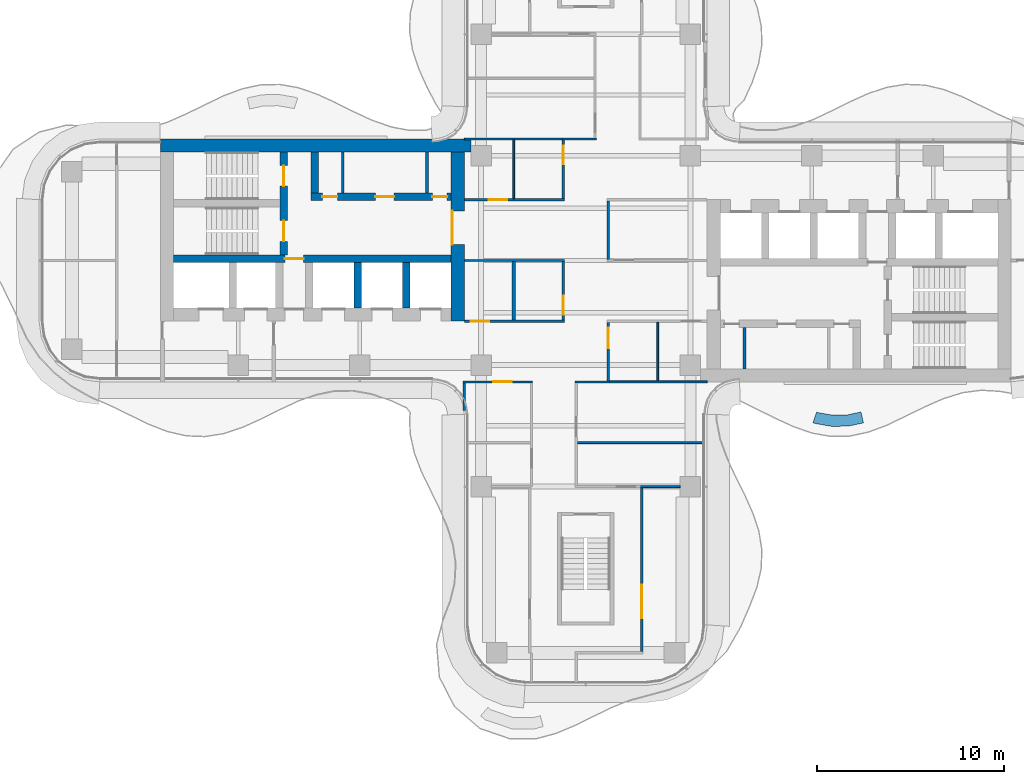
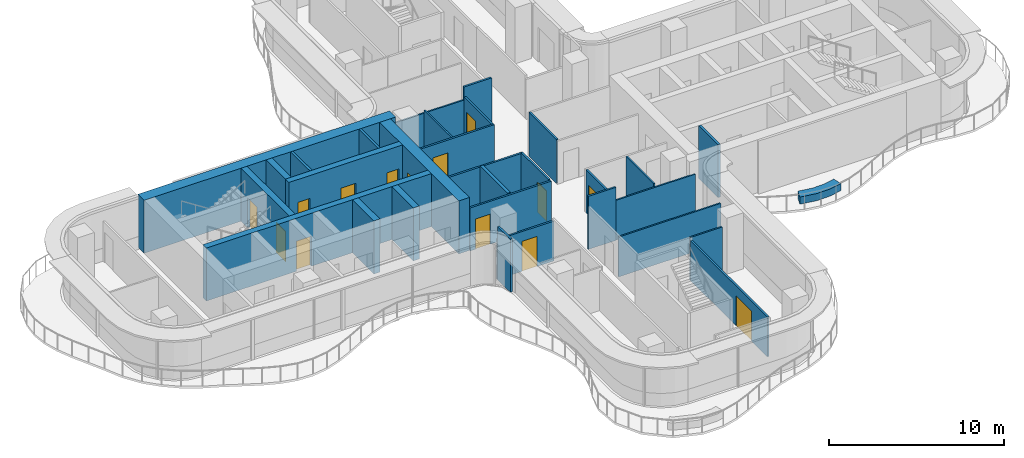
# One storey, part 12 of 16: 31 walls, 14 doors, 14 openings.
"""IFC4 building model written with IfcOpenShell, lengths in metres."""

from ifc_helpers import new_model, si_unit, direction, frame, frame_2d, origin, place, context, subcontext, project, spatial, polyline, rectangle, outline, extrude, source, transform, mapped, material, layer, layer_set, type_object, element, fill, save


model = new_model("IFC4")

# Units and contexts
model_context = context("Model", 3, precision=1e-05, world=origin(), true_north=direction((0.0, 1.0)))
body_context = subcontext(model_context, "Body", "Model", "MODEL_VIEW")
ifc_project = project(units=[si_unit("LENGTHUNIT", "METRE"), si_unit("AREAUNIT", "SQUARE_METRE"), si_unit("VOLUMEUNIT", "CUBIC_METRE"), si_unit("PLANEANGLEUNIT", "RADIAN"), si_unit("MASSUNIT", "GRAM", prefix="KILO")], contexts=[model_context])

# Site, building, storey
site_placement = place(None, origin())
site = spatial("IfcSite", under=ifc_project, at=site_placement, CompositionType="ELEMENT")
building_placement = place(site_placement, origin())
building = spatial("IfcBuilding", under=site, at=building_placement, Name="Trellis Farm Tower", CompositionType="ELEMENT")
storey_placement = place(building_placement, frame((0.0, 0.0, 255.800048828125)))
storey = spatial("IfcBuildingStorey", under=building, at=storey_placement, Name="L57", CompositionType="ELEMENT", Elevation=255.800048828125)

# Wall
ifc_material_1 = material(Name="Sandstone faced masonry planter", Category="masonry")
ifc_layer_1 = layer(ifc_material_1, 0.60009765625)
ifc_layer_set_1 = layer_set([ifc_layer_1], Name="PLANTER BED 600")
wall_type_1 = type_object("IfcWallType", Name="PLANTER BED 600", PredefinedType="USERDEFINED", material=ifc_layer_set_1)
wall_1_placement = place(storey_placement, origin())
element("IfcWall", 1, at=wall_1_placement, inside=storey, type_object=wall_type_1, Name="PLANTER bed", ObjectType="PLANTER", PredefinedType="USERDEFINED", context=body_context, shape_type="SweptSolid", body=[
    extrude(outline(polyline([(13.179443359375, -8.882080078125), (12.2822265625, -8.725830078125), (12.15966796875, -8.683837890625), (12.35400390625, -8.1162109375), (12.431884765625, -8.142822265625), (13.224853515625, -8.28076171875), (14.000244140625, -8.263916015625), (14.73291015625, -8.106689453125), (14.85888671875, -8.693359375), (14.0703125, -8.862548828125), (13.179443359375, -8.882080078125)])), origin(), (0.0, 0.0, 1.0), 0.5),
])

# Wall, opening, door
ifc_material_2 = material(Name="Concrete C60/75", Category="concrete")
ifc_layer_2 = layer(ifc_material_2, 0.699951171875)
ifc_layer_set_2 = layer_set([ifc_layer_2], Name="CORE OUTER WALL 700 CONCRETE C60/75")
wall_type_2 = type_object("IfcWallType", Name="CORE OUTER WALL 700 CONCRETE C60/75", PredefinedType="SHEAR", material=ifc_layer_set_2)
shared_shape_1 = source(origin(), body_context, "Body", "SweptSolid", [
    extrude(rectangle(XDim=9.050048828125, YDim=0.699951171875, at=frame_2d((4.52490234375, 0.0))), origin(), (0.0, 0.0, 1.0), 3.699951171875),
])
wall_2_placement = place(storey_placement, frame((-6.85009765625, 5.800048828125, 0.0), z_axis=(0.0, 0.0, 1.0), x_axis=(0.0, -1.0, 0.0)))
wall_2 = element("IfcWall", 2, at=wall_2_placement, inside=storey, type_object=wall_type_2, Name="Core wall", PredefinedType="SHEAR", context=body_context, shape_type="MappedRepresentation", body=[
    mapped(shared_shape_1, transform((0.0, 0.0, 0.0))),
])
shared_shape_2 = source(origin(), body_context, "Body", "SweptSolid", [
    extrude(rectangle(XDim=1.800048828125, YDim=2.10009765625, at=frame_2d((0.89990234375, 1.050048828125))), frame((0.0, 0.360107421875, 0.0), z_axis=(0.0, -1.0, 0.0), x_axis=(1.0, 0.0, 0.0)), (0.0, 0.0, 1.0), 0.72021484375),
])
opening_1_placement = place(wall_2_placement, frame((3.14990234375, 0.0, 0.0)))
opening_1 = element("IfcOpeningElement", 3, at=opening_1_placement, cuts=wall_2, Name="Opening DC87", PredefinedType="OPENING", context=body_context, shape_type="MappedRepresentation", body=[
    mapped(shared_shape_2, transform((0.0, 0.0, 0.0))),
])
ifc_material_3 = material(Name="Steel", Category="steel")
door_type_1 = type_object("IfcDoorType", Name="CORE FIRE DOOR DOUBLE 1800 X 2100", OperationType="DOUBLE_DOOR_SINGLE_SWING", PredefinedType="DOOR", material=ifc_material_3)
shared_shape_3 = source(origin(), body_context, "Body", "SweptSolid", [
    extrude(rectangle(XDim=1.800048828125, YDim=2.10009765625, at=frame_2d((0.89990234375, 1.050048828125))), frame((0.0, -0.27490234375, 0.0), z_axis=(0.0, -1.0, 0.0), x_axis=(1.0, 0.0, 0.0)), (0.0, 0.0, 1.0), 0.050048828125),
])
door_1_placement = place(opening_1_placement, origin())
door_1 = element("IfcDoor", 4, at=door_1_placement, inside=storey, type_object=door_type_1, Name="Core door", OperationType="DOUBLE_DOOR_SINGLE_SWING", OverallHeight=2.10009765625, OverallWidth=1.800048828125, PredefinedType="DOOR", context=body_context, shape_type="MappedRepresentation", body=[
    mapped(shared_shape_3, transform((0.0, 0.0, 0.0))),
])
fill(opening_1, door_1)

# Walls
ifc_layer_3 = layer(ifc_material_2, 0.39990234375)
ifc_layer_set_3 = layer_set([ifc_layer_3], Name="CORE INNER WALL 400 CONCRETE C60/75")
wall_type_3 = type_object("IfcWallType", Name="CORE INNER WALL 400 CONCRETE C60/75", PredefinedType="SHEAR", material=ifc_layer_set_3)
shared_shape_4 = source(origin(), body_context, "Body", "SweptSolid", [
    extrude(rectangle(XDim=2.449951171875, YDim=0.39990234375, at=frame_2d((1.22509765625, 0.0))), origin(), (0.0, 0.0, 1.0), 3.699951171875),
])
for number, where, z_axis, x_axis, name in (
    (5, (-9.60009765625, -0.10009765625, 0.0), (0.0, 0.0, 1.0), (0.0, -1.0, 0.0), "Core wall"),
    (6, (-12.199951171875, -0.10009765625, 0.0), (0.0, 0.0, 1.0), (0.0, -1.0, 0.0), "Core wall"),
):
    element("IfcWall", number, at=place(storey_placement, frame(where, z_axis=z_axis, x_axis=x_axis)), inside=storey, type_object=wall_type_3, Name=name, PredefinedType="SHEAR", context=body_context, shape_type="MappedRepresentation", body=[
        mapped(shared_shape_4, transform((0.0, 0.0, 0.0))),
    ])

# Wall, openings, doors
shared_shape_5 = source(origin(), body_context, "Body", "SweptSolid", [
    extrude(rectangle(XDim=7.5, YDim=0.39990234375, at=frame_2d((3.75, 0.0))), origin(), (0.0, 0.0, 1.0), 3.699951171875),
])
wall_3_placement = place(storey_placement, frame((-7.199951171875, 3.39990234375, 0.0), z_axis=(0.0, 0.0, 1.0), x_axis=(-1.0, 0.0, 0.0)))
wall_3 = element("IfcWall", 7, at=wall_3_placement, inside=storey, type_object=wall_type_3, Name="Core wall", PredefinedType="SHEAR", context=body_context, shape_type="MappedRepresentation", body=[
    mapped(shared_shape_5, transform((0.0, 0.0, 0.0))),
])
shared_shape_6 = source(origin(), body_context, "Body", "SweptSolid", [
    extrude(rectangle(XDim=0.800048828125, YDim=2.10009765625, at=frame_2d((0.39990234375, 1.050048828125))), frame((0.0, 0.2099609375, 0.0), z_axis=(0.0, -1.0, 0.0), x_axis=(1.0, 0.0, 0.0)), (0.0, 0.0, 1.0), 0.419921875),
])
opening_2_placement = place(wall_3_placement, frame((0.21240234375, 0.0, 0.0)))
opening_2 = element("IfcOpeningElement", 8, at=opening_2_placement, cuts=wall_3, Name="Opening DC137", PredefinedType="OPENING", context=body_context, shape_type="MappedRepresentation", body=[
    mapped(shared_shape_6, transform((0.0, 0.0, 0.0))),
])
shared_shape_7 = source(origin(), body_context, "Body", "SweptSolid", [
    extrude(rectangle(XDim=1.0, YDim=2.10009765625, at=frame_2d((0.5, 1.050048828125))), frame((0.0, 0.2099609375, 0.0), z_axis=(0.0, -1.0, 0.0), x_axis=(1.0, 0.0, 0.0)), (0.0, 0.0, 1.0), 0.419921875),
])
opening_3_placement = place(wall_3_placement, frame((3.050048828125, 0.0, 0.0)))
opening_3 = element("IfcOpeningElement", 9, at=opening_3_placement, cuts=wall_3, Name="Opening DC148", PredefinedType="OPENING", context=body_context, shape_type="MappedRepresentation", body=[
    mapped(shared_shape_7, transform((0.0, 0.0, 0.0))),
])
opening_4_placement = place(wall_3_placement, frame((6.08740234375, 0.0, 0.0)))
opening_4 = element("IfcOpeningElement", 10, at=opening_4_placement, cuts=wall_3, Name="Opening DC149", PredefinedType="OPENING", context=body_context, shape_type="MappedRepresentation", body=[
    mapped(shared_shape_6, transform((0.0, 0.0, 0.0))),
])
door_type_2 = type_object("IfcDoorType", Name="CORE FIRE DOOR 1000 X 2100", OperationType="NOTDEFINED", PredefinedType="DOOR", material=ifc_material_3)
shared_shape_8 = source(origin(), body_context, "Body", "SweptSolid", [
    extrude(rectangle(XDim=1.0, YDim=2.10009765625, at=frame_2d((0.5, 1.050048828125))), frame((0.0, 0.02490234375, 0.0), z_axis=(0.0, -1.0, 0.0), x_axis=(1.0, 0.0, 0.0)), (0.0, 0.0, 1.0), 0.050048828125),
])
door_2_placement = place(opening_3_placement, origin())
door_2 = element("IfcDoor", 11, at=door_2_placement, inside=storey, type_object=door_type_2, Name="Core door", OperationType="SINGLE_SWING_RIGHT", OverallHeight=2.10009765625, OverallWidth=1.0, PredefinedType="DOOR", context=body_context, shape_type="MappedRepresentation", body=[
    mapped(shared_shape_8, transform((0.0, 0.0, 0.0))),
])
fill(opening_3, door_2)
door_type_3 = type_object("IfcDoorType", Name="CORE FIRE DOOR 800 X 2100", OperationType="NOTDEFINED", PredefinedType="DOOR", material=ifc_material_3)
shared_shape_9 = source(origin(), body_context, "Body", "SweptSolid", [
    extrude(rectangle(XDim=0.800048828125, YDim=2.10009765625, at=frame_2d((0.39990234375, 1.050048828125))), frame((0.0, 0.02490234375, 0.0), z_axis=(0.0, -1.0, 0.0), x_axis=(1.0, 0.0, 0.0)), (0.0, 0.0, 1.0), 0.050048828125),
])
door_3_placement = place(opening_2_placement, origin())
door_3 = element("IfcDoor", 12, at=door_3_placement, inside=storey, type_object=door_type_3, Name="Core door", OperationType="SINGLE_SWING_LEFT", OverallHeight=2.10009765625, OverallWidth=0.800048828125, PredefinedType="DOOR", context=body_context, shape_type="MappedRepresentation", body=[
    mapped(shared_shape_9, transform((0.0, 0.0, 0.0))),
])
fill(opening_2, door_3)
door_4_placement = place(opening_4_placement, origin())
door_4 = element("IfcDoor", 13, at=door_4_placement, inside=storey, type_object=door_type_3, Name="Core door", OperationType="SINGLE_SWING_LEFT", OverallHeight=2.10009765625, OverallWidth=0.800048828125, PredefinedType="DOOR", context=body_context, shape_type="MappedRepresentation", body=[
    mapped(shared_shape_9, transform((0.0, 0.0, 0.0))),
])
fill(opening_4, door_4)

# Wall, opening, door
shared_shape_10 = source(origin(), body_context, "Body", "SweptSolid", [
    extrude(rectangle(XDim=14.85009765625, YDim=0.39990234375, at=frame_2d((7.425048828125, 0.0))), origin(), (0.0, 0.0, 1.0), 3.699951171875),
])
wall_4_placement = place(storey_placement, frame((-7.199951171875, 0.10009765625, 0.0), z_axis=(0.0, 0.0, 1.0), x_axis=(-1.0, 0.0, 0.0)))
wall_4 = element("IfcWall", 14, at=wall_4_placement, inside=storey, type_object=wall_type_3, Name="Core wall", PredefinedType="SHEAR", context=body_context, shape_type="MappedRepresentation", body=[
    mapped(shared_shape_10, transform((0.0, 0.0, 0.0))),
])
opening_5_placement = place(wall_4_placement, frame((7.89990234375, 0.0, 0.0)))
opening_5 = element("IfcOpeningElement", 15, at=opening_5_placement, cuts=wall_4, Name="Opening DC91", PredefinedType="OPENING", context=body_context, shape_type="MappedRepresentation", body=[
    mapped(shared_shape_7, transform((0.0, 0.0, 0.0))),
])
door_5_placement = place(opening_5_placement, origin())
door_5 = element("IfcDoor", 16, at=door_5_placement, inside=storey, type_object=door_type_2, Name="Core door", OperationType="SINGLE_SWING_RIGHT", OverallHeight=2.10009765625, OverallWidth=1.0, PredefinedType="DOOR", context=body_context, shape_type="MappedRepresentation", body=[
    mapped(shared_shape_8, transform((0.0, 0.0, 0.0))),
])
fill(opening_5, door_5)

# Wall, openings, doors
shared_shape_11 = source(origin(), body_context, "Body", "SweptSolid", [
    extrude(rectangle(XDim=5.5, YDim=0.39990234375, at=frame_2d((2.75, 0.0))), origin(), (0.0, 0.0, 1.0), 3.699951171875),
])
wall_5_placement = place(storey_placement, frame((-16.14990234375, 5.800048828125, 0.0), z_axis=(0.0, 0.0, 1.0), x_axis=(0.0, -1.0, 0.0)))
wall_5 = element("IfcWall", 17, at=wall_5_placement, inside=storey, type_object=wall_type_3, Name="Core wall", PredefinedType="SHEAR", context=body_context, shape_type="MappedRepresentation", body=[
    mapped(shared_shape_11, transform((0.0, 0.0, 0.0))),
])
shared_shape_12 = source(origin(), body_context, "Body", "SweptSolid", [
    extrude(rectangle(XDim=1.10009765625, YDim=2.10009765625, at=frame_2d((0.550048828125, 1.050048828125))), frame((0.0, 0.2099609375, 0.0), z_axis=(0.0, -1.0, 0.0), x_axis=(1.0, 0.0, 0.0)), (0.0, 0.0, 1.0), 0.419921875),
])
opening_6_placement = place(wall_5_placement, frame((0.72509765625, 0.0, 0.0)))
opening_6 = element("IfcOpeningElement", 18, at=opening_6_placement, cuts=wall_5, Name="Opening DC88", PredefinedType="OPENING", context=body_context, shape_type="MappedRepresentation", body=[
    mapped(shared_shape_12, transform((0.0, 0.0, 0.0))),
])
opening_7_placement = place(wall_5_placement, frame((3.675048828125, 0.0, 0.0)))
opening_7 = element("IfcOpeningElement", 19, at=opening_7_placement, cuts=wall_5, Name="Opening DC89", PredefinedType="OPENING", context=body_context, shape_type="MappedRepresentation", body=[
    mapped(shared_shape_12, transform((0.0, 0.0, 0.0))),
])
door_type_4 = type_object("IfcDoorType", Name="CORE FIRE DOOR 1100 X 2100", OperationType="NOTDEFINED", PredefinedType="DOOR", material=ifc_material_3)
shared_shape_13 = source(origin(), body_context, "Body", "SweptSolid", [
    extrude(rectangle(XDim=1.10009765625, YDim=2.10009765625, at=frame_2d((0.550048828125, 1.050048828125))), frame((0.0, 0.02490234375, 0.0), z_axis=(0.0, -1.0, 0.0), x_axis=(1.0, 0.0, 0.0)), (0.0, 0.0, 1.0), 0.050048828125),
])
door_6_placement = place(opening_6_placement, origin())
door_6 = element("IfcDoor", 20, at=door_6_placement, inside=storey, type_object=door_type_4, Name="Core door", OperationType="SINGLE_SWING_RIGHT", OverallHeight=2.10009765625, OverallWidth=1.10009765625, PredefinedType="DOOR", context=body_context, shape_type="MappedRepresentation", body=[
    mapped(shared_shape_13, transform((0.0, 0.0, 0.0))),
])
fill(opening_6, door_6)
door_7_placement = place(opening_7_placement, origin())
door_7 = element("IfcDoor", 21, at=door_7_placement, inside=storey, type_object=door_type_4, Name="Core door", OperationType="SINGLE_SWING_LEFT", OverallHeight=2.10009765625, OverallWidth=1.10009765625, PredefinedType="DOOR", context=body_context, shape_type="MappedRepresentation", body=[
    mapped(shared_shape_13, transform((0.0, 0.0, 0.0))),
])
fill(opening_7, door_7)

# Walls
shared_shape_14 = source(origin(), body_context, "Body", "SweptSolid", [
    extrude(rectangle(XDim=2.199951171875, YDim=0.39990234375, at=frame_2d((1.10009765625, 0.0))), origin(), (0.0, 0.0, 1.0), 3.699951171875),
])
wall_6_placement = place(storey_placement, frame((-14.5, 5.800048828125, 0.0), z_axis=(0.0, 0.0, 1.0), x_axis=(0.0, -1.0, 0.0)))
element("IfcWall", 22, at=wall_6_placement, inside=storey, type_object=wall_type_3, Name="Core wall", PredefinedType="SHEAR", context=body_context, shape_type="MappedRepresentation", body=[
    mapped(shared_shape_14, transform((0.0, 0.0, 0.0))),
])
ifc_material_4 = material(Name="Masonry blockwork", Category="masonry")
ifc_layer_4 = layer(ifc_material_4, 0.14990234375)
ifc_layer_set_4 = layer_set([ifc_layer_4], Name="CORE PARTITION 150 BLOCKWORK")
wall_type_4 = type_object("IfcWallType", Name="CORE PARTITION 150 BLOCKWORK", PredefinedType="PARTITIONING", material=ifc_layer_set_4)
shared_shape_15 = source(origin(), body_context, "Body", "SweptSolid", [
    extrude(rectangle(XDim=2.199951171875, YDim=0.14990234375, at=frame_2d((1.10009765625, 0.0))), origin(), (0.0, 0.0, 1.0), 3.699951171875),
])
for number, where, z_axis, x_axis, name in (
    (23, (8.5, -5.800048828125, 0.0), (0.0, 0.0, 1.0), (0.0, 1.0, 0.0), "Core room partition"),
    (24, (-8.5, 5.800048828125, 0.0), (0.0, 0.0, 1.0), (0.0, -1.0, 0.0), "Core room partition"),
    (25, (-13.0, 5.800048828125, 0.0), (0.0, 0.0, 1.0), (0.0, -1.0, 0.0), "Core room partition"),
):
    element("IfcWall", number, at=place(storey_placement, frame(where, z_axis=z_axis, x_axis=x_axis)), inside=storey, type_object=wall_type_4, Name=name, PredefinedType="PARTITIONING", context=body_context, shape_type="MappedRepresentation", body=[
        mapped(shared_shape_15, transform((0.0, 0.0, 0.0))),
    ])
shared_shape_16 = source(origin(), body_context, "Body", "SweptSolid", [
    extrude(rectangle(XDim=16.60009765625, YDim=0.699951171875, at=frame_2d((8.300048828125, 0.0))), origin(), (0.0, 0.0, 1.0), 3.699951171875),
])
wall_7_placement = place(storey_placement, frame((-6.14990234375, 6.14990234375, 0.0), z_axis=(0.0, 0.0, 1.0), x_axis=(-1.0, 0.0, 0.0)))
element("IfcWall", 26, at=wall_7_placement, inside=storey, type_object=wall_type_2, Name="Core wall", PredefinedType="SHEAR", context=body_context, shape_type="MappedRepresentation", body=[
    mapped(shared_shape_16, transform((0.0, 0.0, 0.0))),
])

# Wall, opening, door
ifc_material_5 = material(Name="Plasterboard on steel studs, mineral wool", Category="steel")
ifc_layer_5 = layer(ifc_material_5, 0.125)
ifc_layer_set_5 = layer_set([ifc_layer_5], Name="PARTITION 125 STUD EI 60")
wall_type_5 = type_object("IfcWallType", Name="PARTITION 125 STUD EI 60", PredefinedType="PARTITIONING", material=ifc_layer_set_5)
shared_shape_17 = source(origin(), body_context, "Body", "SweptSolid", [
    extrude(rectangle(XDim=3.137451171875, YDim=0.125, at=frame_2d((1.56884765625, 0.0))), origin(), (0.0, 0.0, 1.0), 2.99658203125),
])
wall_8_placement = place(storey_placement, frame((-1.199951171875, 6.449951171875, 0.0), z_axis=(0.0, 0.0, 1.0), x_axis=(0.0, -1.0, 0.0)))
wall_8 = element("IfcWall", 27, at=wall_8_placement, inside=storey, type_object=wall_type_5, Name="Partition PW1", PredefinedType="PARTITIONING", context=body_context, shape_type="MappedRepresentation", body=[
    mapped(shared_shape_17, transform((0.0, 0.0, 0.0))),
])
shared_shape_18 = source(origin(), body_context, "Body", "SweptSolid", [
    extrude(rectangle(XDim=1.0, YDim=2.10009765625, at=frame_2d((0.5, 1.050048828125))), frame((0.0, 0.072509765625, 0.0), z_axis=(0.0, -1.0, 0.0), x_axis=(1.0, 0.0, 0.0)), (0.0, 0.0, 1.0), 0.14501953125),
])
opening_8_placement = place(wall_8_placement, frame((0.300048828125, 0.0, 0.0)))
opening_8 = element("IfcOpeningElement", 28, at=opening_8_placement, cuts=wall_8, Name="Opening D112", PredefinedType="OPENING", context=body_context, shape_type="MappedRepresentation", body=[
    mapped(shared_shape_18, transform((0.0, 0.0, 0.0))),
])
ifc_material_6 = material(Name="Fire-rated timber door leaf in a hollow metal frame", Category="wood")
door_type_5 = type_object("IfcDoorType", Name="DOOR 1000x2100 FD30S", OperationType="NOTDEFINED", PredefinedType="DOOR", material=ifc_material_6)
door_8_placement = place(opening_8_placement, origin())
door_8 = element("IfcDoor", 29, at=door_8_placement, inside=storey, type_object=door_type_5, Name="Door D112", OperationType="SINGLE_SWING_LEFT", OverallHeight=2.10009765625, OverallWidth=1.0, PredefinedType="DOOR", context=body_context, shape_type="MappedRepresentation", body=[
    mapped(shared_shape_8, transform((0.0, 0.0, 0.0))),
])
fill(opening_8, door_8)

wall_9_placement = place(storey_placement, frame((1.199951171875, -3.3125, 0.0), z_axis=(0.0, 0.0, 1.0), x_axis=(0.0, -1.0, 0.0)))
wall_9 = element("IfcWall", 30, at=wall_9_placement, inside=storey, type_object=wall_type_5, Name="Partition PW1", PredefinedType="PARTITIONING", context=body_context, shape_type="MappedRepresentation", body=[
    mapped(shared_shape_17, transform((0.0, 0.0, 0.0))),
])
shared_shape_19 = source(origin(), body_context, "Body", "SweptSolid", [
    extrude(rectangle(XDim=1.10009765625, YDim=2.10009765625, at=frame_2d((0.550048828125, 1.050048828125))), frame((0.0, 0.072509765625, 0.0), z_axis=(0.0, -1.0, 0.0), x_axis=(1.0, 0.0, 0.0)), (0.0, 0.0, 1.0), 0.14501953125),
])
opening_9_placement = place(wall_9_placement, frame((0.28759765625, 0.0, 0.0)))
opening_9 = element("IfcOpeningElement", 31, at=opening_9_placement, cuts=wall_9, Name="Opening D501", PredefinedType="OPENING", context=body_context, shape_type="MappedRepresentation", body=[
    mapped(shared_shape_19, transform((0.0, 0.0, 0.0))),
])
door_type_6 = type_object("IfcDoorType", Name="DOOR 1100x2100 FD30S", OperationType="NOTDEFINED", PredefinedType="DOOR", material=ifc_material_6)
door_9_placement = place(opening_9_placement, origin())
door_9 = element("IfcDoor", 32, at=door_9_placement, inside=storey, type_object=door_type_6, Name="Door D501", OperationType="SINGLE_SWING_LEFT", OverallHeight=2.10009765625, OverallWidth=1.10009765625, PredefinedType="DOOR", context=body_context, shape_type="MappedRepresentation", body=[
    mapped(shared_shape_13, transform((0.0, 0.0, 0.0))),
])
fill(opening_9, door_9)

shared_shape_20 = source(origin(), body_context, "Body", "SweptSolid", [
    extrude(rectangle(XDim=3.125, YDim=0.125, at=frame_2d((1.5625, 0.0))), origin(), (0.0, 0.0, 1.0), 3.06787109375),
])
wall_10_placement = place(storey_placement, frame((-1.199951171875, -0.0625, 0.0), z_axis=(0.0, 0.0, 1.0), x_axis=(0.0, -1.0, 0.0)))
wall_10 = element("IfcWall", 33, at=wall_10_placement, inside=storey, type_object=wall_type_5, Name="Partition PW1", PredefinedType="PARTITIONING", context=body_context, shape_type="MappedRepresentation", body=[
    mapped(shared_shape_20, transform((0.0, 0.0, 0.0))),
])
opening_10_placement = place(wall_10_placement, frame((1.83740234375, 0.0, 0.0)))
opening_10 = element("IfcOpeningElement", 34, at=opening_10_placement, cuts=wall_10, Name="Opening D301", PredefinedType="OPENING", context=body_context, shape_type="MappedRepresentation", body=[
    mapped(shared_shape_18, transform((0.0, 0.0, 0.0))),
])
door_type_7 = type_object("IfcDoorType", Name="DOOR 1000x2100 FD60", OperationType="NOTDEFINED", PredefinedType="DOOR", material=ifc_material_6)
door_10_placement = place(opening_10_placement, origin())
door_10 = element("IfcDoor", 35, at=door_10_placement, inside=storey, type_object=door_type_7, Name="Door D301", OperationType="SINGLE_SWING_RIGHT", OverallHeight=2.10009765625, OverallWidth=1.0, PredefinedType="DOOR", context=body_context, shape_type="MappedRepresentation", body=[
    mapped(shared_shape_8, transform((0.0, 0.0, 0.0))),
])
fill(opening_10, door_10)

# Walls
wall_11_placement = place(storey_placement, frame((1.199951171875, 3.1875, 0.0), z_axis=(0.0, 0.0, 1.0), x_axis=(0.0, -1.0, 0.0)))
element("IfcWall", 36, at=wall_11_placement, inside=storey, type_object=wall_type_5, Name="Partition PW1", PredefinedType="PARTITIONING", context=body_context, shape_type="MappedRepresentation", body=[
    mapped(shared_shape_20, transform((0.0, 0.0, 0.0))),
])
shared_shape_21 = source(origin(), body_context, "Body", "SweptSolid", [
    extrude(rectangle(XDim=1.468994140625, YDim=0.125, at=frame_2d((0.734375, 0.0))), origin(), (0.0, 0.0, 1.0), 3.699951171875),
])
wall_12_placement = place(storey_placement, frame((-6.5, -6.5625, 0.0), z_axis=(0.0, 0.0, 1.0), x_axis=(0.0, -1.0, 0.0)))
element("IfcWall", 37, at=wall_12_placement, inside=storey, type_object=wall_type_5, Name="Partition PW1", PredefinedType="PARTITIONING", context=body_context, shape_type="MappedRepresentation", body=[
    mapped(shared_shape_21, transform((0.0, 0.0, 0.0))),
])

# Wall, opening, door
shared_shape_22 = source(origin(), body_context, "Body", "SweptSolid", [
    extrude(rectangle(XDim=5.362548828125, YDim=0.125, at=frame_2d((2.68115234375, 0.0))), origin(), (0.0, 0.0, 1.0), 2.99658203125),
])
wall_13_placement = place(storey_placement, frame((-1.137451171875, -3.25, 0.0), z_axis=(0.0, 0.0, 1.0), x_axis=(-1.0, 0.0, 0.0)))
wall_13 = element("IfcWall", 38, at=wall_13_placement, inside=storey, type_object=wall_type_5, Name="Partition PW1", PredefinedType="PARTITIONING", context=body_context, shape_type="MappedRepresentation", body=[
    mapped(shared_shape_22, transform((0.0, 0.0, 0.0))),
])
opening_11_placement = place(wall_13_placement, frame((4.012451171875, 0.0, 0.0)))
opening_11 = element("IfcOpeningElement", 39, at=opening_11_placement, cuts=wall_13, Name="Opening D106", PredefinedType="OPENING", context=body_context, shape_type="MappedRepresentation", body=[
    mapped(shared_shape_18, transform((0.0, 0.0, 0.0))),
])
door_11_placement = place(opening_11_placement, origin())
door_11 = element("IfcDoor", 40, at=door_11_placement, inside=storey, type_object=door_type_5, Name="Door D106", OperationType="SINGLE_SWING_RIGHT", OverallHeight=2.10009765625, OverallWidth=1.0, PredefinedType="DOOR", context=body_context, shape_type="MappedRepresentation", body=[
    mapped(shared_shape_8, transform((0.0, 0.0, 0.0))),
])
fill(opening_11, door_11)

# Wall
wall_14_placement = place(storey_placement, frame((-1.137451171875, 0.0, 0.0), z_axis=(0.0, 0.0, 1.0), x_axis=(-1.0, 0.0, 0.0)))
element("IfcWall", 41, at=wall_14_placement, inside=storey, type_object=wall_type_5, Name="Partition PW1", PredefinedType="PARTITIONING", context=body_context, shape_type="MappedRepresentation", body=[
    mapped(shared_shape_22, transform((0.0, 0.0, 0.0))),
])

# Wall, opening, door
wall_15_placement = place(storey_placement, frame((-6.5, 3.25, 0.0), z_axis=(0.0, 0.0, 1.0), x_axis=(1.0, 0.0, 0.0)))
wall_15 = element("IfcWall", 42, at=wall_15_placement, inside=storey, type_object=wall_type_5, Name="Partition PW1", PredefinedType="PARTITIONING", context=body_context, shape_type="MappedRepresentation", body=[
    mapped(shared_shape_22, transform((0.0, 0.0, 0.0))),
])
opening_12_placement = place(wall_15_placement, frame((1.300048828125, 0.0, 0.0)))
opening_12 = element("IfcOpeningElement", 43, at=opening_12_placement, cuts=wall_15, Name="Opening D110", PredefinedType="OPENING", context=body_context, shape_type="MappedRepresentation", body=[
    mapped(shared_shape_18, transform((0.0, 0.0, 0.0))),
])
door_12_placement = place(opening_12_placement, origin())
door_12 = element("IfcDoor", 44, at=door_12_placement, inside=storey, type_object=door_type_5, Name="Door D110", OperationType="SINGLE_SWING_RIGHT", OverallHeight=2.10009765625, OverallWidth=1.0, PredefinedType="DOOR", context=body_context, shape_type="MappedRepresentation", body=[
    mapped(shared_shape_8, transform((0.0, 0.0, 0.0))),
])
fill(opening_12, door_12)

# Walls
ifc_material_7 = material(Name="Plasterboard on steel studs", Category="steel")
ifc_layer_6 = layer(ifc_material_7, 0.10009765625)
ifc_layer_set_6 = layer_set([ifc_layer_6], Name="PARTITION 100 STUD EI 30")
wall_type_6 = type_object("IfcWallType", Name="PARTITION 100 STUD EI 30", PredefinedType="PARTITIONING", material=ifc_layer_set_6)
shared_shape_23 = source(origin(), body_context, "Body", "SweptSolid", [
    extrude(rectangle(XDim=5.362548828125, YDim=0.10009765625, at=frame_2d((2.68115234375, 0.0))), origin(), (0.0, 0.0, 1.0), 2.780029296875),
])
for number, where, z_axis, x_axis, name in (
    (45, (1.137451171875, -6.5, 0.0), (0.0, 0.0, 1.0), (1.0, 0.0, 0.0), "Partition PW2"),
    (46, (-6.5, 6.5, 0.0), (0.0, 0.0, 1.0), (1.0, 0.0, 0.0), "Partition PW2"),
):
    element("IfcWall", number, at=place(storey_placement, frame(where, z_axis=z_axis, x_axis=x_axis)), inside=storey, type_object=wall_type_6, Name=name, PredefinedType="PARTITIONING", context=body_context, shape_type="MappedRepresentation", body=[
        mapped(shared_shape_23, transform((0.0, 0.0, 0.0))),
    ])
shared_shape_24 = source(origin(), body_context, "Body", "SweptSolid", [
    extrude(rectangle(XDim=1.824951171875, YDim=0.125, at=frame_2d((0.91259765625, 0.0))), origin(), (0.0, 0.0, 1.0), 3.699951171875),
])
for number, where, z_axis, x_axis, name in (
    (47, (1.262451171875, -6.5, 0.0), (0.0, 0.0, 1.0), (-1.0, 0.0, 0.0), "Partition PW1"),
    (48, (-1.262451171875, 6.5, 0.0), (0.0, 0.0, 1.0), (1.0, 0.0, 0.0), "Partition PW1"),
):
    element("IfcWall", number, at=place(storey_placement, frame(where, z_axis=z_axis, x_axis=x_axis)), inside=storey, type_object=wall_type_5, Name=name, PredefinedType="PARTITIONING", context=body_context, shape_type="MappedRepresentation", body=[
        mapped(shared_shape_24, transform((0.0, 0.0, 0.0))),
    ])

# Wall, opening, door
shared_shape_25 = source(origin(), body_context, "Body", "SweptSolid", [
    extrude(rectangle(XDim=3.72509765625, YDim=0.125, at=frame_2d((1.862548828125, 0.0))), origin(), (0.0, 0.0, 1.0), 2.780029296875),
])
wall_16_placement = place(storey_placement, frame((-2.83740234375, -6.5, 0.0), z_axis=(0.0, 0.0, 1.0), x_axis=(-1.0, 0.0, 0.0)))
wall_16 = element("IfcWall", 49, at=wall_16_placement, inside=storey, type_object=wall_type_5, Name="Partition PW1", PredefinedType="PARTITIONING", context=body_context, shape_type="MappedRepresentation", body=[
    mapped(shared_shape_25, transform((0.0, 0.0, 0.0))),
])
opening_13_placement = place(wall_16_placement, frame((1.112548828125, 0.0, 0.0)))
opening_13 = element("IfcOpeningElement", 50, at=opening_13_placement, cuts=wall_16, Name="Opening D105", PredefinedType="OPENING", context=body_context, shape_type="MappedRepresentation", body=[
    mapped(shared_shape_18, transform((0.0, 0.0, 0.0))),
])
door_13_placement = place(opening_13_placement, origin())
door_13 = element("IfcDoor", 51, at=door_13_placement, inside=storey, type_object=door_type_5, Name="Door D105", OperationType="SINGLE_SWING_RIGHT", OverallHeight=2.10009765625, OverallWidth=1.0, PredefinedType="DOOR", context=body_context, shape_type="MappedRepresentation", body=[
    mapped(shared_shape_8, transform((0.0, 0.0, 0.0))),
])
fill(opening_13, door_13)

# Wall
shared_shape_26 = source(origin(), body_context, "Body", "SweptSolid", [
    extrude(rectangle(XDim=6.737548828125, YDim=0.10009765625, at=frame_2d((3.36865234375, 0.0))), origin(), (0.0, 0.0, 1.0), 2.780029296875),
])
wall_17_placement = place(storey_placement, frame((-0.4375, -9.75, 0.0), z_axis=(0.0, 0.0, 1.0), x_axis=(1.0, 0.0, 0.0)))
element("IfcWall", 52, at=wall_17_placement, inside=storey, type_object=wall_type_6, Name="Partition PW2", PredefinedType="PARTITIONING", context=body_context, shape_type="MappedRepresentation", body=[
    mapped(shared_shape_26, transform((0.0, 0.0, 0.0))),
])

# Wall, opening, door
shared_shape_27 = source(origin(), body_context, "Body", "SweptSolid", [
    extrude(rectangle(XDim=8.78759765625, YDim=0.125, at=frame_2d((4.393798828125, 0.0))), origin(), (0.0, 0.0, 1.0), 2.780029296875),
])
wall_18_placement = place(storey_placement, frame((3.0, -12.14990234375, 0.0), z_axis=(0.0, 0.0, 1.0), x_axis=(0.0, -1.0, 0.0)))
wall_18 = element("IfcWall", 53, at=wall_18_placement, inside=storey, type_object=wall_type_5, Name="Partition PW1", PredefinedType="PARTITIONING", context=body_context, shape_type="MappedRepresentation", body=[
    mapped(shared_shape_27, transform((0.0, 0.0, 0.0))),
])
shared_shape_28 = source(origin(), body_context, "Body", "SweptSolid", [
    extrude(rectangle(XDim=1.800048828125, YDim=2.10009765625, at=frame_2d((0.89990234375, 1.050048828125))), frame((0.0, 0.072509765625, 0.0), z_axis=(0.0, -1.0, 0.0), x_axis=(1.0, 0.0, 0.0)), (0.0, 0.0, 1.0), 0.14501953125),
])
opening_14_placement = place(wall_18_placement, frame((5.199951171875, 0.0, 0.0)))
opening_14 = element("IfcOpeningElement", 54, at=opening_14_placement, cuts=wall_18, Name="Opening D201", PredefinedType="OPENING", context=body_context, shape_type="MappedRepresentation", body=[
    mapped(shared_shape_28, transform((0.0, 0.0, 0.0))),
])
door_type_8 = type_object("IfcDoorType", Name="DOOR PAIR 1800x2100 FD30S", OperationType="NOTDEFINED", PredefinedType="DOOR", material=ifc_material_6)
shared_shape_29 = source(origin(), body_context, "Body", "SweptSolid", [
    extrude(rectangle(XDim=1.800048828125, YDim=2.10009765625, at=frame_2d((0.89990234375, 1.050048828125))), frame((0.0, 0.02490234375, 0.0), z_axis=(0.0, -1.0, 0.0), x_axis=(1.0, 0.0, 0.0)), (0.0, 0.0, 1.0), 0.050048828125),
])
door_14_placement = place(opening_14_placement, origin())
door_14 = element("IfcDoor", 55, at=door_14_placement, inside=storey, type_object=door_type_8, Name="Door D201", OperationType="DOUBLE_DOOR_SINGLE_SWING", OverallHeight=2.10009765625, OverallWidth=1.800048828125, PredefinedType="DOOR", context=body_context, shape_type="MappedRepresentation", body=[
    mapped(shared_shape_29, transform((0.0, 0.0, 0.0))),
])
fill(opening_14, door_14)

# Walls
shared_shape_30 = source(origin(), body_context, "Body", "SweptSolid", [
    extrude(rectangle(XDim=3.137451171875, YDim=0.10009765625, at=frame_2d((1.56884765625, 0.0))), origin(), (0.0, 0.0, 1.0), 2.99658203125),
])
for number, where, z_axis, x_axis, name in (
    (56, (-3.85009765625, 3.3125, 0.0), (0.0, 0.0, 1.0), (0.0, 1.0, 0.0), "Partition PW2"),
    (57, (3.85009765625, -6.449951171875, 0.0), (0.0, 0.0, 1.0), (0.0, 1.0, 0.0), "Partition PW2"),
):
    element("IfcWall", number, at=place(storey_placement, frame(where, z_axis=z_axis, x_axis=x_axis)), inside=storey, type_object=wall_type_6, Name=name, PredefinedType="PARTITIONING", context=body_context, shape_type="MappedRepresentation", body=[
        mapped(shared_shape_30, transform((0.0, 0.0, 0.0))),
    ])
shared_shape_31 = source(origin(), body_context, "Body", "SweptSolid", [
    extrude(rectangle(XDim=2.112548828125, YDim=0.10009765625, at=frame_2d((1.05615234375, 0.0))), origin(), (0.0, 0.0, 1.0), 2.99658203125),
])
wall_19_placement = place(storey_placement, frame((2.9375, -12.10009765625, 0.0), z_axis=(0.0, 0.0, 1.0), x_axis=(1.0, 0.0, 0.0)))
element("IfcWall", 58, at=wall_19_placement, inside=storey, type_object=wall_type_6, Name="Partition PW2", PredefinedType="PARTITIONING", context=body_context, shape_type="MappedRepresentation", body=[
    mapped(shared_shape_31, transform((0.0, 0.0, 0.0))),
])
ifc_material_8 = material(Name="Lightweight blockwork, plastered", Category="masonry")
ifc_layer_7 = layer(ifc_material_8, 0.199951171875)
ifc_layer_set_7 = layer_set([ifc_layer_7], Name="BLOCK WALL 200 EI 120")
wall_type_7 = type_object("IfcWallType", Name="BLOCK WALL 200 EI 120", PredefinedType="PARTITIONING", material=ifc_layer_set_7)
shared_shape_32 = source(origin(), body_context, "Body", "SweptSolid", [
    extrude(rectangle(XDim=3.125, YDim=0.199951171875, at=frame_2d((1.5625, 0.0))), origin(), (0.0, 0.0, 1.0), 3.06787109375),
])
wall_20_placement = place(storey_placement, frame((-3.85009765625, -3.1875, 0.0), z_axis=(0.0, 0.0, 1.0), x_axis=(0.0, 1.0, 0.0)))
element("IfcWall", 59, at=wall_20_placement, inside=storey, type_object=wall_type_7, Name="Partition PW3", PredefinedType="PARTITIONING", context=body_context, shape_type="MappedRepresentation", body=[
    mapped(shared_shape_32, transform((0.0, 0.0, 0.0))),
])

save(model, "model.ifc")
